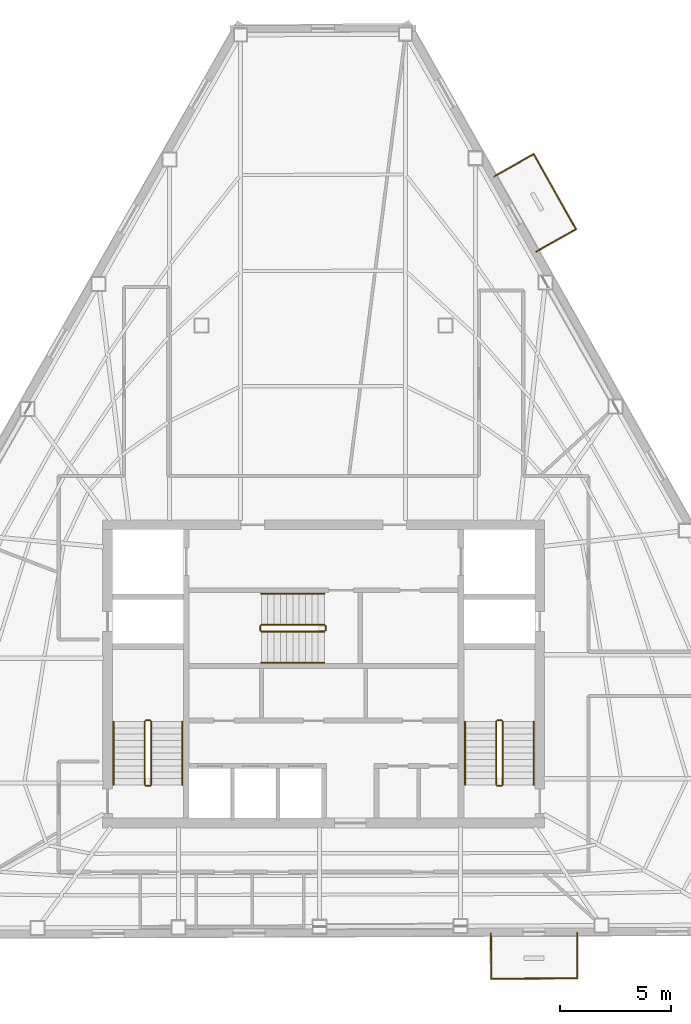
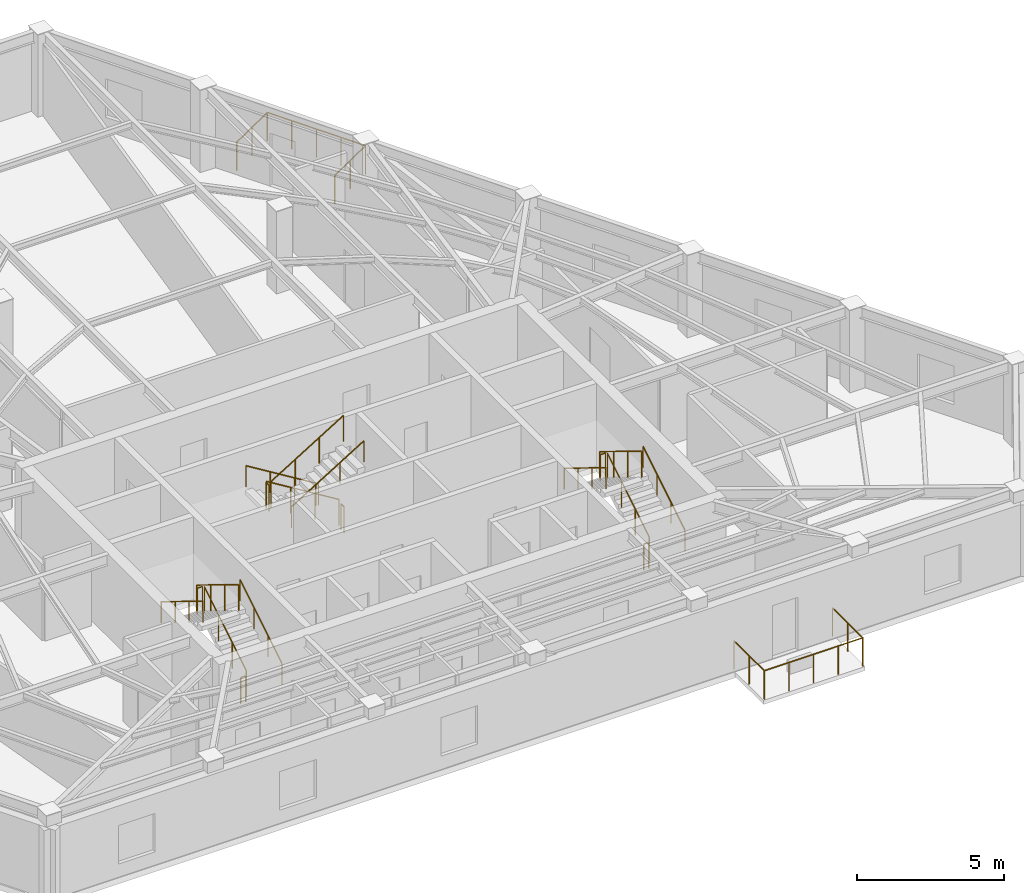
# One storey, part 10 of 10: 24 railings.
"""IFC4 building model written with IfcOpenShell, lengths in metres."""

from ifc_helpers import new_model, si_unit, direction, frame, origin, origin_2d, place, context, subcontext, project, spatial, circle, extrude, material, type_object, element, save


model = new_model("IFC4")

# Units and contexts
model_context = context("Model", 3, precision=1e-05, world=origin(), true_north=direction((0.0, 1.0)))
body_context = subcontext(model_context, "Body", "Model", "MODEL_VIEW")
ifc_project = project(units=[si_unit("LENGTHUNIT", "METRE"), si_unit("AREAUNIT", "SQUARE_METRE"), si_unit("VOLUMEUNIT", "CUBIC_METRE"), si_unit("PLANEANGLEUNIT", "RADIAN"), si_unit("MASSUNIT", "GRAM", prefix="KILO")], contexts=[model_context])

# Site, building, storey
site_placement = place(None, origin())
site = spatial("IfcSite", under=ifc_project, at=site_placement, CompositionType="ELEMENT")
building_placement = place(site_placement, origin())
building = spatial("IfcBuilding", under=site, at=building_placement, Name="Kavelnor Concourse Tower", CompositionType="ELEMENT")
storey_placement = place(building_placement, frame((0.0, 0.0, 230.449951171875)))
storey = spatial("IfcBuildingStorey", under=building, at=storey_placement, Name="L58", CompositionType="ELEMENT", Elevation=230.449951171875)

# Railings
ifc_material_1 = material(Name="Steel Grade 350", Category="steel")
railing_type_1 = type_object("IfcRailingType", Name="RLG-GUARD-1100", PredefinedType="GUARDRAIL", material=ifc_material_1)
railing_1_placement = place(storey_placement, frame((30.22998046875, 11.10009765625, 0.175048828125)))
element("IfcRailing", 1, at=railing_1_placement, inside=storey, type_object=railing_type_1, Name="L58 ST1 stair guard 1", PredefinedType="GUARDRAIL", context=body_context, shape_type="SweptSolid", body=[
    extrude(circle(Radius=0.02392578125, at=origin_2d()), frame((0.0, 0.0, 1.076171875), z_axis=(0.0, 0.852159232446, 0.523282564737), x_axis=(-1.0, 0.0, 0.0)), (0.0, 0.0, 1.0), 3.34423828125),
    extrude(circle(Radius=0.02099609375, at=origin_2d()), origin(), (0.0, 0.0, 1.0), 1.052001953125),
    extrude(circle(Radius=0.02099609375, at=origin_2d()), frame((0.0, 0.949951171875, 0.583251953125)), (0.0, 0.0, 1.0), 1.052001953125),
    extrude(circle(Radius=0.02099609375, at=origin_2d()), frame((0.0, 1.89990234375, 1.166748046875)), (0.0, 0.0, 1.0), 1.052001953125),
    extrude(circle(Radius=0.02099609375, at=origin_2d()), frame((0.0, 2.849853515625, 1.75)), (0.0, 0.0, 1.0), 1.052001953125),
])
railing_2_placement = place(storey_placement, frame((30.179931640625, 14.0, 1.925048828125)))
element("IfcRailing", 2, at=railing_2_placement, inside=storey, type_object=railing_type_1, Name="L58 ST1 stair guard 2", PredefinedType="GUARDRAIL", context=body_context, shape_type="SweptSolid", body=[
    extrude(circle(Radius=0.02392578125, at=origin_2d()), frame((0.0, 0.0, 1.076171875), z_axis=(-1.0, 0.0, 0.0), x_axis=(0.0, -1.0, 0.0)), (0.0, 0.0, 1.0), 0.199951171875),
    extrude(circle(Radius=0.02099609375, at=origin_2d()), origin(), (0.0, 0.0, 1.0), 1.052001953125),
    extrude(circle(Radius=0.02099609375, at=origin_2d()), frame((-0.199951171875, 0.0, 0.0)), (0.0, 0.0, 1.0), 1.052001953125),
])
railing_3_placement = place(storey_placement, frame((29.929931640625, 13.949951171875, 2.10009765625)))
element("IfcRailing", 3, at=railing_3_placement, inside=storey, type_object=railing_type_1, Name="L58 ST1 stair guard 3", PredefinedType="GUARDRAIL", context=body_context, shape_type="SweptSolid", body=[
    extrude(circle(Radius=0.02392578125, at=origin_2d()), frame((0.0, 0.0, 1.076171875), z_axis=(0.0, -0.852159232446, 0.523282564737), x_axis=(1.0, 0.0, 0.0)), (0.0, 0.0, 1.0), 3.34423828125),
    extrude(circle(Radius=0.02099609375, at=origin_2d()), origin(), (0.0, 0.0, 1.0), 1.052001953125),
    extrude(circle(Radius=0.02099609375, at=origin_2d()), frame((0.0, -0.949951171875, 0.583251953125)), (0.0, 0.0, 1.0), 1.052001953125),
    extrude(circle(Radius=0.02099609375, at=origin_2d()), frame((0.0, -1.89990234375, 1.166748046875)), (0.0, 0.0, 1.0), 1.052001953125),
    extrude(circle(Radius=0.02099609375, at=origin_2d()), frame((0.0, -2.849853515625, 1.75)), (0.0, 0.0, 1.0), 1.052001953125),
])
railing_4_placement = place(storey_placement, frame((30.179931640625, 11.050048828125, 0.0)))
element("IfcRailing", 4, at=railing_4_placement, inside=storey, type_object=railing_type_1, Name="L58 ST1 stair guard 4", PredefinedType="GUARDRAIL", context=body_context, shape_type="SweptSolid", body=[
    extrude(circle(Radius=0.02392578125, at=origin_2d()), frame((0.0, 0.0, 1.076171875), z_axis=(-1.0, 0.0, 0.0), x_axis=(0.0, -1.0, 0.0)), (0.0, 0.0, 1.0), 0.199951171875),
    extrude(circle(Radius=0.02099609375, at=origin_2d()), origin(), (0.0, 0.0, 1.0), 1.052001953125),
    extrude(circle(Radius=0.02099609375, at=origin_2d()), frame((-0.199951171875, 0.0, 0.0)), (0.0, 0.0, 1.0), 1.052001953125),
])
railing_5_placement = place(storey_placement, frame((46.070068359375, 11.10009765625, 0.175048828125)))
element("IfcRailing", 5, at=railing_5_placement, inside=storey, type_object=railing_type_1, Name="L58 ST2 stair guard 1", PredefinedType="GUARDRAIL", context=body_context, shape_type="SweptSolid", body=[
    extrude(circle(Radius=0.02392578125, at=origin_2d()), frame((0.0, 0.0, 1.076171875), z_axis=(0.0, 0.852159232446, 0.523282564737), x_axis=(-1.0, 0.0, 0.0)), (0.0, 0.0, 1.0), 3.34423828125),
    extrude(circle(Radius=0.02099609375, at=origin_2d()), origin(), (0.0, 0.0, 1.0), 1.052001953125),
    extrude(circle(Radius=0.02099609375, at=origin_2d()), frame((0.0, 0.949951171875, 0.583251953125)), (0.0, 0.0, 1.0), 1.052001953125),
    extrude(circle(Radius=0.02099609375, at=origin_2d()), frame((0.0, 1.89990234375, 1.166748046875)), (0.0, 0.0, 1.0), 1.052001953125),
    extrude(circle(Radius=0.02099609375, at=origin_2d()), frame((0.0, 2.849853515625, 1.75)), (0.0, 0.0, 1.0), 1.052001953125),
])
railing_6_placement = place(storey_placement, frame((46.02001953125, 14.0, 1.925048828125)))
element("IfcRailing", 6, at=railing_6_placement, inside=storey, type_object=railing_type_1, Name="L58 ST2 stair guard 2", PredefinedType="GUARDRAIL", context=body_context, shape_type="SweptSolid", body=[
    extrude(circle(Radius=0.02392578125, at=origin_2d()), frame((0.0, 0.0, 1.076171875), z_axis=(-1.0, 0.0, 0.0), x_axis=(0.0, -1.0, 0.0)), (0.0, 0.0, 1.0), 0.199951171875),
    extrude(circle(Radius=0.02099609375, at=origin_2d()), origin(), (0.0, 0.0, 1.0), 1.052001953125),
    extrude(circle(Radius=0.02099609375, at=origin_2d()), frame((-0.199951171875, 0.0, 0.0)), (0.0, 0.0, 1.0), 1.052001953125),
])
railing_7_placement = place(storey_placement, frame((45.77001953125, 13.949951171875, 2.10009765625)))
element("IfcRailing", 7, at=railing_7_placement, inside=storey, type_object=railing_type_1, Name="L58 ST2 stair guard 3", PredefinedType="GUARDRAIL", context=body_context, shape_type="SweptSolid", body=[
    extrude(circle(Radius=0.02392578125, at=origin_2d()), frame((0.0, 0.0, 1.076171875), z_axis=(0.0, -0.852159232446, 0.523282564737), x_axis=(1.0, 0.0, 0.0)), (0.0, 0.0, 1.0), 3.34423828125),
    extrude(circle(Radius=0.02099609375, at=origin_2d()), origin(), (0.0, 0.0, 1.0), 1.052001953125),
    extrude(circle(Radius=0.02099609375, at=origin_2d()), frame((0.0, -0.949951171875, 0.583251953125)), (0.0, 0.0, 1.0), 1.052001953125),
    extrude(circle(Radius=0.02099609375, at=origin_2d()), frame((0.0, -1.89990234375, 1.166748046875)), (0.0, 0.0, 1.0), 1.052001953125),
    extrude(circle(Radius=0.02099609375, at=origin_2d()), frame((0.0, -2.849853515625, 1.75)), (0.0, 0.0, 1.0), 1.052001953125),
])
railing_8_placement = place(storey_placement, frame((46.02001953125, 11.050048828125, 0.0)))
element("IfcRailing", 8, at=railing_8_placement, inside=storey, type_object=railing_type_1, Name="L58 ST2 stair guard 4", PredefinedType="GUARDRAIL", context=body_context, shape_type="SweptSolid", body=[
    extrude(circle(Radius=0.02392578125, at=origin_2d()), frame((0.0, 0.0, 1.076171875), z_axis=(-1.0, 0.0, 0.0), x_axis=(0.0, -1.0, 0.0)), (0.0, 0.0, 1.0), 0.199951171875),
    extrude(circle(Radius=0.02099609375, at=origin_2d()), origin(), (0.0, 0.0, 1.0), 1.052001953125),
    extrude(circle(Radius=0.02099609375, at=origin_2d()), frame((-0.199951171875, 0.0, 0.0)), (0.0, 0.0, 1.0), 1.052001953125),
])
railing_9_placement = place(storey_placement, frame((38.0400390625, 18.31005859375, 0.175048828125)))
element("IfcRailing", 9, at=railing_9_placement, inside=storey, type_object=railing_type_1, Name="L58 ST3 stair guard 1", PredefinedType="GUARDRAIL", context=body_context, shape_type="SweptSolid", body=[
    extrude(circle(Radius=0.02392578125, at=origin_2d()), frame((0.0, 0.0, 1.076171875), z_axis=(-0.852179220489, 0.0, 0.52325001306), x_axis=(0.0, -1.0, 0.0)), (0.0, 0.0, 1.0), 3.344482421875),
    extrude(circle(Radius=0.02099609375, at=origin_2d()), origin(), (0.0, 0.0, 1.0), 1.052001953125),
    extrude(circle(Radius=0.02099609375, at=origin_2d()), frame((-0.949951171875, 0.0, 0.583251953125)), (0.0, 0.0, 1.0), 1.052001953125),
    extrude(circle(Radius=0.02099609375, at=origin_2d()), frame((-1.900146484375, 0.0, 1.166748046875)), (0.0, 0.0, 1.0), 1.052001953125),
    extrude(circle(Radius=0.02099609375, at=origin_2d()), frame((-2.85009765625, 0.0, 1.75)), (0.0, 0.0, 1.0), 1.052001953125),
])
railing_10_placement = place(storey_placement, frame((35.139892578125, 18.260009765625, 1.925048828125)))
element("IfcRailing", 10, at=railing_10_placement, inside=storey, type_object=railing_type_1, Name="L58 ST3 stair guard 2", PredefinedType="GUARDRAIL", context=body_context, shape_type="SweptSolid", body=[
    extrude(circle(Radius=0.02392578125, at=origin_2d()), frame((0.0, 0.0, 1.076171875), z_axis=(0.0, -1.0, 0.0), x_axis=(1.0, 0.0, 0.0)), (0.0, 0.0, 1.0), 0.199951171875),
    extrude(circle(Radius=0.02099609375, at=origin_2d()), origin(), (0.0, 0.0, 1.0), 1.052001953125),
    extrude(circle(Radius=0.02099609375, at=origin_2d()), frame((0.0, -0.199951171875, 0.0)), (0.0, 0.0, 1.0), 1.052001953125),
])
railing_11_placement = place(storey_placement, frame((35.18994140625, 18.010009765625, 2.10009765625)))
element("IfcRailing", 11, at=railing_11_placement, inside=storey, type_object=railing_type_1, Name="L58 ST3 stair guard 3", PredefinedType="GUARDRAIL", context=body_context, shape_type="SweptSolid", body=[
    extrude(circle(Radius=0.02392578125, at=origin_2d()), frame((0.0, 0.0, 1.076171875), z_axis=(0.852179220489, 0.0, 0.52325001306), x_axis=(0.0, 1.0, 0.0)), (0.0, 0.0, 1.0), 3.344482421875),
    extrude(circle(Radius=0.02099609375, at=origin_2d()), origin(), (0.0, 0.0, 1.0), 1.052001953125),
    extrude(circle(Radius=0.02099609375, at=origin_2d()), frame((0.949951171875, 0.0, 0.583251953125)), (0.0, 0.0, 1.0), 1.052001953125),
    extrude(circle(Radius=0.02099609375, at=origin_2d()), frame((1.900146484375, 0.0, 1.166748046875)), (0.0, 0.0, 1.0), 1.052001953125),
    extrude(circle(Radius=0.02099609375, at=origin_2d()), frame((2.85009765625, 0.0, 1.75)), (0.0, 0.0, 1.0), 1.052001953125),
])
railing_12_placement = place(storey_placement, frame((38.090087890625, 18.260009765625, 0.0)))
element("IfcRailing", 12, at=railing_12_placement, inside=storey, type_object=railing_type_1, Name="L58 ST3 stair guard 4", PredefinedType="GUARDRAIL", context=body_context, shape_type="SweptSolid", body=[
    extrude(circle(Radius=0.02392578125, at=origin_2d()), frame((0.0, 0.0, 1.076171875), z_axis=(0.0, -1.0, 0.0), x_axis=(1.0, 0.0, 0.0)), (0.0, 0.0, 1.0), 0.199951171875),
    extrude(circle(Radius=0.02099609375, at=origin_2d()), origin(), (0.0, 0.0, 1.0), 1.052001953125),
    extrude(circle(Radius=0.02099609375, at=origin_2d()), frame((0.0, -0.199951171875, 0.0)), (0.0, 0.0, 1.0), 1.052001953125),
])
railing_type_2 = type_object("IfcRailingType", Name="RLG-HANDRAIL-900", PredefinedType="HANDRAIL", material=ifc_material_1)
railing_13_placement = place(storey_placement, frame((31.6298828125, 11.10009765625, 0.175048828125)))
element("IfcRailing", 13, at=railing_13_placement, inside=storey, type_object=railing_type_2, Name="L58 ST1 stair handrail 1", PredefinedType="HANDRAIL", context=body_context, shape_type="SweptSolid", body=[
    extrude(circle(Radius=0.02392578125, at=origin_2d()), frame((0.0, 0.0, 0.8759765625), z_axis=(0.0, 0.852159232446, 0.523282564737), x_axis=(-1.0, 0.0, 0.0)), (0.0, 0.0, 1.0), 3.34423828125),
    extrude(circle(Radius=0.02099609375, at=origin_2d()), origin(), (0.0, 0.0, 1.0), 0.851806640625),
    extrude(circle(Radius=0.02099609375, at=origin_2d()), frame((0.0, 0.949951171875, 0.583251953125)), (0.0, 0.0, 1.0), 0.851806640625),
    extrude(circle(Radius=0.02099609375, at=origin_2d()), frame((0.0, 1.89990234375, 1.166748046875)), (0.0, 0.0, 1.0), 0.851806640625),
    extrude(circle(Radius=0.02099609375, at=origin_2d()), frame((0.0, 2.849853515625, 1.75)), (0.0, 0.0, 1.0), 0.851806640625),
])
railing_14_placement = place(storey_placement, frame((28.530029296875, 13.949951171875, 2.10009765625)))
element("IfcRailing", 14, at=railing_14_placement, inside=storey, type_object=railing_type_2, Name="L58 ST1 stair handrail 2", PredefinedType="HANDRAIL", context=body_context, shape_type="SweptSolid", body=[
    extrude(circle(Radius=0.02392578125, at=origin_2d()), frame((0.0, 0.0, 0.8759765625), z_axis=(0.0, -0.852159232446, 0.523282564737), x_axis=(1.0, 0.0, 0.0)), (0.0, 0.0, 1.0), 3.34423828125),
    extrude(circle(Radius=0.02099609375, at=origin_2d()), origin(), (0.0, 0.0, 1.0), 0.851806640625),
    extrude(circle(Radius=0.02099609375, at=origin_2d()), frame((0.0, -0.949951171875, 0.583251953125)), (0.0, 0.0, 1.0), 0.851806640625),
    extrude(circle(Radius=0.02099609375, at=origin_2d()), frame((0.0, -1.89990234375, 1.166748046875)), (0.0, 0.0, 1.0), 0.851806640625),
    extrude(circle(Radius=0.02099609375, at=origin_2d()), frame((0.0, -2.849853515625, 1.75)), (0.0, 0.0, 1.0), 0.851806640625),
])
railing_15_placement = place(storey_placement, frame((47.469970703125, 11.10009765625, 0.175048828125)))
element("IfcRailing", 15, at=railing_15_placement, inside=storey, type_object=railing_type_2, Name="L58 ST2 stair handrail 1", PredefinedType="HANDRAIL", context=body_context, shape_type="SweptSolid", body=[
    extrude(circle(Radius=0.02392578125, at=origin_2d()), frame((0.0, 0.0, 0.8759765625), z_axis=(0.0, 0.852159232446, 0.523282564737), x_axis=(-1.0, 0.0, 0.0)), (0.0, 0.0, 1.0), 3.34423828125),
    extrude(circle(Radius=0.02099609375, at=origin_2d()), origin(), (0.0, 0.0, 1.0), 0.851806640625),
    extrude(circle(Radius=0.02099609375, at=origin_2d()), frame((0.0, 0.949951171875, 0.583251953125)), (0.0, 0.0, 1.0), 0.851806640625),
    extrude(circle(Radius=0.02099609375, at=origin_2d()), frame((0.0, 1.89990234375, 1.166748046875)), (0.0, 0.0, 1.0), 0.851806640625),
    extrude(circle(Radius=0.02099609375, at=origin_2d()), frame((0.0, 2.849853515625, 1.75)), (0.0, 0.0, 1.0), 0.851806640625),
])
railing_16_placement = place(storey_placement, frame((44.3701171875, 13.949951171875, 2.10009765625)))
element("IfcRailing", 16, at=railing_16_placement, inside=storey, type_object=railing_type_2, Name="L58 ST2 stair handrail 2", PredefinedType="HANDRAIL", context=body_context, shape_type="SweptSolid", body=[
    extrude(circle(Radius=0.02392578125, at=origin_2d()), frame((0.0, 0.0, 0.8759765625), z_axis=(0.0, -0.852159232446, 0.523282564737), x_axis=(1.0, 0.0, 0.0)), (0.0, 0.0, 1.0), 3.34423828125),
    extrude(circle(Radius=0.02099609375, at=origin_2d()), origin(), (0.0, 0.0, 1.0), 0.851806640625),
    extrude(circle(Radius=0.02099609375, at=origin_2d()), frame((0.0, -0.949951171875, 0.583251953125)), (0.0, 0.0, 1.0), 0.851806640625),
    extrude(circle(Radius=0.02099609375, at=origin_2d()), frame((0.0, -1.89990234375, 1.166748046875)), (0.0, 0.0, 1.0), 0.851806640625),
    extrude(circle(Radius=0.02099609375, at=origin_2d()), frame((0.0, -2.849853515625, 1.75)), (0.0, 0.0, 1.0), 0.851806640625),
])
railing_17_placement = place(storey_placement, frame((38.0400390625, 19.7099609375, 0.175048828125)))
element("IfcRailing", 17, at=railing_17_placement, inside=storey, type_object=railing_type_2, Name="L58 ST3 stair handrail 1", PredefinedType="HANDRAIL", context=body_context, shape_type="SweptSolid", body=[
    extrude(circle(Radius=0.02392578125, at=origin_2d()), frame((0.0, 0.0, 0.8759765625), z_axis=(-0.852179220489, 0.0, 0.52325001306), x_axis=(0.0, -1.0, 0.0)), (0.0, 0.0, 1.0), 3.344482421875),
    extrude(circle(Radius=0.02099609375, at=origin_2d()), origin(), (0.0, 0.0, 1.0), 0.851806640625),
    extrude(circle(Radius=0.02099609375, at=origin_2d()), frame((-0.949951171875, 0.0, 0.583251953125)), (0.0, 0.0, 1.0), 0.851806640625),
    extrude(circle(Radius=0.02099609375, at=origin_2d()), frame((-1.900146484375, 0.0, 1.166748046875)), (0.0, 0.0, 1.0), 0.851806640625),
    extrude(circle(Radius=0.02099609375, at=origin_2d()), frame((-2.85009765625, 0.0, 1.75)), (0.0, 0.0, 1.0), 0.851806640625),
])
railing_18_placement = place(storey_placement, frame((35.18994140625, 16.610107421875, 2.10009765625)))
element("IfcRailing", 18, at=railing_18_placement, inside=storey, type_object=railing_type_2, Name="L58 ST3 stair handrail 2", PredefinedType="HANDRAIL", context=body_context, shape_type="SweptSolid", body=[
    extrude(circle(Radius=0.02392578125, at=origin_2d()), frame((0.0, 0.0, 0.8759765625), z_axis=(0.852179220489, 0.0, 0.52325001306), x_axis=(0.0, 1.0, 0.0)), (0.0, 0.0, 1.0), 3.344482421875),
    extrude(circle(Radius=0.02099609375, at=origin_2d()), origin(), (0.0, 0.0, 1.0), 0.851806640625),
    extrude(circle(Radius=0.02099609375, at=origin_2d()), frame((0.949951171875, 0.0, 0.583251953125)), (0.0, 0.0, 1.0), 0.851806640625),
    extrude(circle(Radius=0.02099609375, at=origin_2d()), frame((1.900146484375, 0.0, 1.166748046875)), (0.0, 0.0, 1.0), 0.851806640625),
    extrude(circle(Radius=0.02099609375, at=origin_2d()), frame((2.85009765625, 0.0, 1.75)), (0.0, 0.0, 1.0), 0.851806640625),
])
ifc_material_2 = material(Name="Architectural bronze-anodised aluminium", Category="aluminium")
railing_type_3 = type_object("IfcRailingType", Name="RLG-TERRACE-1200", PredefinedType="BALUSTRADE", material=ifc_material_2)
railing_19_placement = place(storey_placement, frame((45.540283203125, 4.414306640625, 0.0)))
element("IfcRailing", 19, at=railing_19_placement, inside=storey, type_object=railing_type_3, Name="L58 Tree Balcony 1 Guardrail L", PredefinedType="BALUSTRADE", context=body_context, shape_type="SweptSolid", body=[
    extrude(circle(Radius=0.02392578125, at=origin_2d()), frame((0.0, 0.0, 1.17578125), z_axis=(0.004049031951, -0.999991802637, 0.0), x_axis=(0.999991802637, 0.004049031951, 0.0)), (0.0, 0.0, 1.0), 2.050048828125),
    extrude(circle(Radius=0.02099609375, at=origin_2d()), origin(), (0.0, 0.0, 1.0), 1.15185546875),
    extrude(circle(Radius=0.02099609375, at=origin_2d()), frame((0.004150390625, -1.02490234375, 0.0)), (0.0, 0.0, 1.0), 1.15185546875),
    extrude(circle(Radius=0.02099609375, at=origin_2d()), frame((0.00830078125, -2.050048828125, 0.0)), (0.0, 0.0, 1.0), 1.15185546875),
])
railing_20_placement = place(storey_placement, frame((45.548583984375, 2.3642578125, 0.0)))
element("IfcRailing", 20, at=railing_20_placement, inside=storey, type_object=railing_type_3, Name="L58 Tree Balcony 1 Guardrail F", PredefinedType="BALUSTRADE", context=body_context, shape_type="SweptSolid", body=[
    extrude(circle(Radius=0.02392578125, at=origin_2d()), frame((0.0, 0.0, 1.17578125), z_axis=(0.999992389883, 0.003901304315, 0.0), x_axis=(-0.003901304315, 0.999992389883, 0.0)), (0.0, 0.0, 1.0), 3.8798828125),
    extrude(circle(Radius=0.02099609375, at=origin_2d()), origin(), (0.0, 0.0, 1.0), 1.15185546875),
    extrude(circle(Radius=0.02099609375, at=origin_2d()), frame((0.969970703125, 0.00390625, 0.0)), (0.0, 0.0, 1.0), 1.15185546875),
    extrude(circle(Radius=0.02099609375, at=origin_2d()), frame((1.93994140625, 0.007568359375, 0.0)), (0.0, 0.0, 1.0), 1.15185546875),
    extrude(circle(Radius=0.02099609375, at=origin_2d()), frame((2.909912109375, 0.01123046875, 0.0)), (0.0, 0.0, 1.0), 1.15185546875),
    extrude(circle(Radius=0.02099609375, at=origin_2d()), frame((3.8798828125, 0.01513671875, 0.0)), (0.0, 0.0, 1.0), 1.15185546875),
])
railing_21_placement = place(storey_placement, frame((49.428466796875, 2.37939453125, 0.0)))
element("IfcRailing", 21, at=railing_21_placement, inside=storey, type_object=railing_type_3, Name="L58 Tree Balcony 1 Guardrail R", PredefinedType="BALUSTRADE", context=body_context, shape_type="SweptSolid", body=[
    extrude(circle(Radius=0.02392578125, at=origin_2d()), frame((0.0, 0.0, 1.17578125), z_axis=(-0.003929944643, 0.999992277738, 0.0), x_axis=(-0.999992277738, -0.003929944643, 0.0)), (0.0, 0.0, 1.0), 2.050048828125),
    extrude(circle(Radius=0.02099609375, at=origin_2d()), origin(), (0.0, 0.0, 1.0), 1.15185546875),
    extrude(circle(Radius=0.02099609375, at=origin_2d()), frame((-0.00390625, 1.02490234375, 0.0)), (0.0, 0.0, 1.0), 1.15185546875),
    extrude(circle(Radius=0.02099609375, at=origin_2d()), frame((-0.008056640625, 2.050048828125, 0.0)), (0.0, 0.0, 1.0), 1.15185546875),
])
railing_22_placement = place(storey_placement, frame((47.583251953125, 35.130615234375, 0.0)))
element("IfcRailing", 22, at=railing_22_placement, inside=storey, type_object=railing_type_3, Name="L58 Tree Balcony 2 Guardrail L", PredefinedType="BALUSTRADE", context=body_context, shape_type="SweptSolid", body=[
    extrude(circle(Radius=0.02392578125, at=origin_2d()), frame((0.0, 0.0, 1.17578125), z_axis=(0.871021586121, 0.491244741968, 0.0), x_axis=(-0.491244741968, 0.871021586121, 0.0)), (0.0, 0.0, 1.0), 2.050048828125),
    extrude(circle(Radius=0.02099609375, at=origin_2d()), origin(), (0.0, 0.0, 1.0), 1.15185546875),
    extrude(circle(Radius=0.02099609375, at=origin_2d()), frame((0.892822265625, 0.50341796875, 0.0)), (0.0, 0.0, 1.0), 1.15185546875),
    extrude(circle(Radius=0.02099609375, at=origin_2d()), frame((1.78564453125, 1.007080078125, 0.0)), (0.0, 0.0, 1.0), 1.15185546875),
])
railing_23_placement = place(storey_placement, frame((49.368896484375, 36.1376953125, 0.0)))
element("IfcRailing", 23, at=railing_23_placement, inside=storey, type_object=railing_type_3, Name="L58 Tree Balcony 2 Guardrail F", PredefinedType="BALUSTRADE", context=body_context, shape_type="SweptSolid", body=[
    extrude(circle(Radius=0.02392578125, at=origin_2d()), frame((0.0, 0.0, 1.17578125), z_axis=(-0.491306499487, 0.870986752805, 0.0), x_axis=(-0.870986752805, -0.491306499487, 0.0)), (0.0, 0.0, 1.0), 3.8798828125),
    extrude(circle(Radius=0.02099609375, at=origin_2d()), origin(), (0.0, 0.0, 1.0), 1.15185546875),
    extrude(circle(Radius=0.02099609375, at=origin_2d()), frame((-0.4765625, 0.8447265625, 0.0)), (0.0, 0.0, 1.0), 1.15185546875),
    extrude(circle(Radius=0.02099609375, at=origin_2d()), frame((-0.953125, 1.689697265625, 0.0)), (0.0, 0.0, 1.0), 1.15185546875),
    extrude(circle(Radius=0.02099609375, at=origin_2d()), frame((-1.4296875, 2.53466796875, 0.0)), (0.0, 0.0, 1.0), 1.15185546875),
    extrude(circle(Radius=0.02099609375, at=origin_2d()), frame((-1.90625, 3.37939453125, 0.0)), (0.0, 0.0, 1.0), 1.15185546875),
])
railing_24_placement = place(storey_placement, frame((47.462646484375, 39.51708984375, 0.0)))
element("IfcRailing", 24, at=railing_24_placement, inside=storey, type_object=railing_type_3, Name="L58 Tree Balcony 2 Guardrail R", PredefinedType="BALUSTRADE", context=body_context, shape_type="SweptSolid", body=[
    extrude(circle(Radius=0.02392578125, at=origin_2d()), frame((0.0, 0.0, 1.17578125), z_axis=(-0.870970627776, -0.491335084797, 0.0), x_axis=(0.491335084797, -0.870970627776, 0.0)), (0.0, 0.0, 1.0), 2.05029296875),
    extrude(circle(Radius=0.02099609375, at=origin_2d()), origin(), (0.0, 0.0, 1.0), 1.15185546875),
    extrude(circle(Radius=0.02099609375, at=origin_2d()), frame((-0.892822265625, -0.503662109375, 0.0)), (0.0, 0.0, 1.0), 1.15185546875),
    extrude(circle(Radius=0.02099609375, at=origin_2d()), frame((-1.78564453125, -1.00732421875, 0.0)), (0.0, 0.0, 1.0), 1.15185546875),
])

save(model, "model.ifc")
